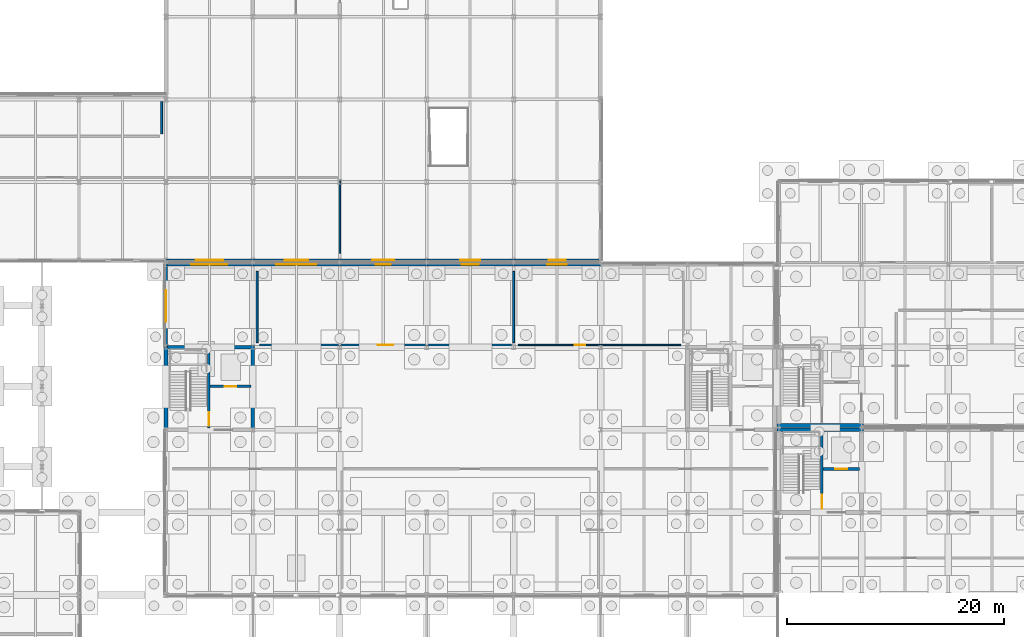
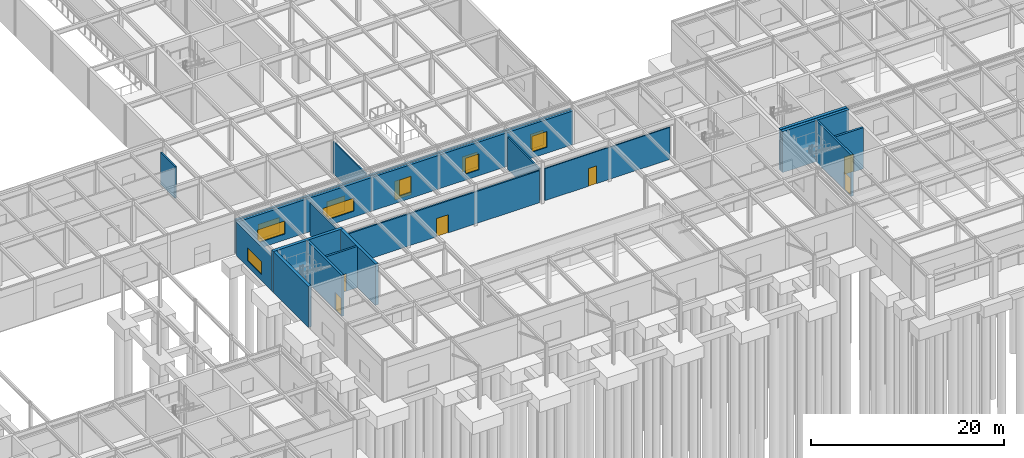
# One storey, part 44 of 62: 26 walls, 10 windows, 7 doors, 17 openings.
"""IFC4 building model written with IfcOpenShell, lengths in metres."""

from ifc_helpers import new_model, si_unit, direction, frame, frame_2d, origin, place, context, subcontext, project, spatial, rectangle, extrude, material, layer, layer_set, type_object, element, fill, save


model = new_model("IFC4")

# Units and contexts
model_context = context("Model", 3, precision=1e-05, world=origin(), true_north=direction((0.0, 1.0)))
body_context = subcontext(model_context, "Body", "Model", "MODEL_VIEW")
ifc_project = project(units=[si_unit("LENGTHUNIT", "METRE"), si_unit("AREAUNIT", "SQUARE_METRE"), si_unit("VOLUMEUNIT", "CUBIC_METRE"), si_unit("PLANEANGLEUNIT", "RADIAN"), si_unit("MASSUNIT", "GRAM", prefix="KILO")], contexts=[model_context])

# Site, building, storey
site_placement = place(None, origin())
site = spatial("IfcSite", under=ifc_project, at=site_placement, CompositionType="ELEMENT")
building_placement = place(site_placement, origin())
building = spatial("IfcBuilding", under=site, at=building_placement, Name="Zulena Civic Courthouse", CompositionType="ELEMENT")
storey_placement = place(building_placement, origin())
storey = spatial("IfcBuildingStorey", under=building, at=storey_placement, Name="L00", CompositionType="ELEMENT", Elevation=0.0)

# Wall, opening, door
ifc_material_1 = material(Name="Concrete C40/50", Category="concrete")
ifc_layer_1 = layer(ifc_material_1, 0.25)
ifc_layer_set_1 = layer_set([ifc_layer_1], Name="Concrete C40/50")
wall_type_1 = type_object("IfcWallType", Name="CoreShearWall_RC250", PredefinedType="SHEAR", material=ifc_layer_set_1)
wall_1_placement = place(storey_placement, frame((128.35009765625, 22.97509765625, 0.0), z_axis=(0.0, 0.0, 1.0), x_axis=(0.0, 1.0, 0.0)))
wall_1 = element("IfcWall", 1, at=wall_1_placement, inside=storey, type_object=wall_type_1, Name="cwall:K1A:L00:DIV", PredefinedType="SHEAR", context=body_context, shape_type="SweptSolid", body=[
    extrude(rectangle(XDim=7.25, YDim=0.25, at=frame_2d((3.625, 0.0))), origin(), (0.0, 0.0, 1.0), 5.18994140625),
])
opening_1_placement = place(wall_1_placement, frame((0.179931640625, 0.0, 0.0)))
opening_1 = element("IfcOpeningElement", 2, at=opening_1_placement, cuts=wall_1, Name="Opening ID06", PredefinedType="OPENING", context=body_context, shape_type="SweptSolid", body=[
    extrude(rectangle(XDim=1.25, YDim=2.199951171875, at=frame_2d((0.625, 1.10009765625))), frame((0.0, 0.135009765625, 0.0), z_axis=(0.0, -1.0, 0.0), x_axis=(1.0, 0.0, 0.0)), (0.0, 0.0, 1.0), 0.27001953125),
])
ifc_material_2 = material(Name="Fire-rated galvanised steel ASTM A653 Grade 50", Category="steel")
door_type_1 = type_object("IfcDoorType", Name="IntDoor_Stair_1250x2200", OperationType="NOTDEFINED", PredefinedType="DOOR", material=ifc_material_2)
door_1_placement = place(opening_1_placement, origin())
door_1 = element("IfcDoor", 3, at=door_1_placement, inside=storey, type_object=door_type_1, Name="door:stair:K1A:L00", OperationType="SINGLE_SWING_LEFT", OverallHeight=2.199951171875, OverallWidth=1.25, PredefinedType="DOOR", context=body_context, shape_type="SweptSolid", body=[
    extrude(rectangle(XDim=1.25, YDim=2.199951171875, at=frame_2d((0.625, 1.10009765625))), frame((0.0, 0.02490234375, 0.0), z_axis=(0.0, -1.0, 0.0), x_axis=(1.0, 0.0, 0.0)), (0.0, 0.0, 1.0), 0.050048828125),
])
fill(opening_1, door_1)

wall_2_placement = place(storey_placement, frame((128.47509765625, 26.800048828125, 0.0), z_axis=(0.0, 0.0, 1.0), x_axis=(1.0, 0.0, 0.0)))
wall_2 = element("IfcWall", 4, at=wall_2_placement, inside=storey, type_object=wall_type_1, Name="cwall:K1A:L00:SHF", PredefinedType="SHEAR", context=body_context, shape_type="SweptSolid", body=[
    extrude(rectangle(XDim=3.349853515625, YDim=0.25, at=frame_2d((1.6748046875, 0.0))), origin(), (0.0, 0.0, 1.0), 5.18994140625),
])
opening_2_placement = place(wall_2_placement, frame((1.1201171875, 0.0, 0.0)))
opening_2 = element("IfcOpeningElement", 5, at=opening_2_placement, cuts=wall_2, Name="Opening LD02", PredefinedType="OPENING", context=body_context, shape_type="SweptSolid", body=[
    extrude(rectangle(XDim=1.10009765625, YDim=2.199951171875, at=frame_2d((0.550048828125, 1.10009765625))), frame((0.0, 0.135009765625, 0.0), z_axis=(0.0, -1.0, 0.0), x_axis=(1.0, 0.0, 0.0)), (0.0, 0.0, 1.0), 0.27001953125),
])
door_type_2 = type_object("IfcDoorType", Name="LiftLandingDoor_Pass_1100x2200", OperationType="SLIDING_TO_LEFT", PredefinedType="DOOR", material=ifc_material_2)
door_2_placement = place(opening_2_placement, origin())
door_2 = element("IfcDoor", 6, at=door_2_placement, inside=storey, type_object=door_type_2, Name="door:ld:PL-01:L00", OperationType="SLIDING_TO_LEFT", OverallHeight=2.199951171875, OverallWidth=1.10009765625, PredefinedType="DOOR", context=body_context, shape_type="SweptSolid", body=[
    extrude(rectangle(XDim=1.10009765625, YDim=2.199951171875, at=frame_2d((0.550048828125, 1.10009765625))), frame((0.0, 0.02490234375, 0.0), z_axis=(0.0, -1.0, 0.0), x_axis=(1.0, 0.0, 0.0)), (0.0, 0.0, 1.0), 0.050048828125),
])
fill(opening_2, door_2)

wall_3_placement = place(storey_placement, frame((71.949951171875, 30.574951171875, 0.0), z_axis=(0.0, 0.0, 1.0), x_axis=(0.0, 1.0, 0.0)))
wall_3 = element("IfcWall", 7, at=wall_3_placement, inside=storey, type_object=wall_type_1, Name="cwall:K4A:L00:DIV", PredefinedType="SHEAR", context=body_context, shape_type="SweptSolid", body=[
    extrude(rectangle(XDim=7.25, YDim=0.25, at=frame_2d((3.625, 0.0))), origin(), (0.0, 0.0, 1.0), 5.18994140625),
])
opening_3_placement = place(wall_3_placement, frame((0.179931640625, 0.0, 0.0)))
opening_3 = element("IfcOpeningElement", 8, at=opening_3_placement, cuts=wall_3, Name="Opening ID06", PredefinedType="OPENING", context=body_context, shape_type="SweptSolid", body=[
    extrude(rectangle(XDim=1.25, YDim=2.199951171875, at=frame_2d((0.625, 1.10009765625))), frame((0.0, 0.135009765625, 0.0), z_axis=(0.0, -1.0, 0.0), x_axis=(1.0, 0.0, 0.0)), (0.0, 0.0, 1.0), 0.27001953125),
])
door_3_placement = place(opening_3_placement, origin())
door_3 = element("IfcDoor", 9, at=door_3_placement, inside=storey, type_object=door_type_1, Name="door:stair:K4A:L00", OperationType="SINGLE_SWING_LEFT", OverallHeight=2.199951171875, OverallWidth=1.25, PredefinedType="DOOR", context=body_context, shape_type="SweptSolid", body=[
    extrude(rectangle(XDim=1.25, YDim=2.199951171875, at=frame_2d((0.625, 1.10009765625))), frame((0.0, 0.02490234375, 0.0), z_axis=(0.0, -1.0, 0.0), x_axis=(1.0, 0.0, 0.0)), (0.0, 0.0, 1.0), 0.050048828125),
])
fill(opening_3, door_3)

wall_4_placement = place(storey_placement, frame((72.074951171875, 34.39990234375, 0.0), z_axis=(0.0, 0.0, 1.0), x_axis=(1.0, 0.0, 0.0)))
wall_4 = element("IfcWall", 10, at=wall_4_placement, inside=storey, type_object=wall_type_1, Name="cwall:K4A:L00:SHF", PredefinedType="SHEAR", context=body_context, shape_type="SweptSolid", body=[
    extrude(rectangle(XDim=3.75, YDim=0.25, at=frame_2d((1.875, 0.0))), origin(), (0.0, 0.0, 1.0), 5.18994140625),
])
opening_4_placement = place(wall_4_placement, frame((1.320068359375, 0.0, 0.0)))
opening_4 = element("IfcOpeningElement", 11, at=opening_4_placement, cuts=wall_4, Name="Opening LD02", PredefinedType="OPENING", context=body_context, shape_type="SweptSolid", body=[
    extrude(rectangle(XDim=1.10009765625, YDim=2.199951171875, at=frame_2d((0.550048828125, 1.10009765625))), frame((0.0, 0.135009765625, 0.0), z_axis=(0.0, -1.0, 0.0), x_axis=(1.0, 0.0, 0.0)), (0.0, 0.0, 1.0), 0.27001953125),
])
door_4_placement = place(opening_4_placement, origin())
door_4 = element("IfcDoor", 12, at=door_4_placement, inside=storey, type_object=door_type_2, Name="door:ld:PL-03:L00", OperationType="SLIDING_TO_LEFT", OverallHeight=2.199951171875, OverallWidth=1.10009765625, PredefinedType="DOOR", context=body_context, shape_type="SweptSolid", body=[
    extrude(rectangle(XDim=1.10009765625, YDim=2.199951171875, at=frame_2d((0.550048828125, 1.10009765625))), frame((0.0, 0.02490234375, 0.0), z_axis=(0.0, -1.0, 0.0), x_axis=(1.0, 0.0, 0.0)), (0.0, 0.0, 1.0), 0.050048828125),
])
fill(opening_4, door_4)

# Walls
ifc_layer_2 = layer(ifc_material_1, 0.35009765625)
ifc_layer_set_2 = layer_set([ifc_layer_2], Name="Concrete C40/50")
wall_type_2 = type_object("IfcWallType", Name="CoreShearWall_RC350", PredefinedType="SHEAR", material=ifc_layer_set_2)
for number, where, z_axis, x_axis, name in (
    (13, (124.22509765625, 30.39990234375, 0.0), (0.0, 0.0, 1.0), (1.0, 0.0, 0.0), "cwall:K1A:L00:N"),
    (14, (124.22509765625, 30.800048828125, 0.0), (0.0, 0.0, 1.0), (1.0, 0.0, 0.0), "cwall:K3A:L00:S"),
):
    element("IfcWall", number, at=place(storey_placement, frame(where, z_axis=z_axis, x_axis=x_axis)), inside=storey, type_object=wall_type_2, Name=name, PredefinedType="SHEAR", context=body_context, shape_type="SweptSolid", body=[
        extrude(rectangle(XDim=7.949951171875, YDim=0.35009765625, at=frame_2d((3.97509765625, 0.0))), origin(), (0.0, 0.0, 1.0), 5.18994140625),
    ])
wall_5_placement = place(storey_placement, frame((67.824951171875, 38.0, 0.0), z_axis=(0.0, 0.0, 1.0), x_axis=(1.0, 0.0, 0.0)))
element("IfcWall", 15, at=wall_5_placement, inside=storey, type_object=wall_type_2, Name="cwall:K4A:L00:N", PredefinedType="SHEAR", context=body_context, shape_type="SweptSolid", body=[
    extrude(rectangle(XDim=8.35009765625, YDim=0.35009765625, at=frame_2d((4.175048828125, 0.0))), origin(), (0.0, 0.0, 1.0), 5.18994140625),
])
for number, where, z_axis, x_axis, name in (
    (16, (68.0, 30.574951171875, 0.0), (0.0, 0.0, 1.0), (0.0, 1.0, 0.0), "cwall:K4A:L00:W"),
    (17, (76.0, 30.574951171875, 0.0), (0.0, 0.0, 1.0), (0.0, 1.0, 0.0), "cwall:K4A:L00:E"),
):
    element("IfcWall", number, at=place(storey_placement, frame(where, z_axis=z_axis, x_axis=x_axis)), inside=storey, type_object=wall_type_2, Name=name, PredefinedType="SHEAR", context=body_context, shape_type="SweptSolid", body=[
        extrude(rectangle(XDim=7.25, YDim=0.35009765625, at=frame_2d((3.625, 0.0))), origin(), (0.0, 0.0, 1.0), 5.18994140625),
    ])

# Wall, opening, window
ifc_material_3 = material(Name="Buff architectural precast concrete C40/50", Category="concrete")
ifc_layer_3 = layer(ifc_material_3, 0.264892578125)
ifc_layer_set_3 = layer_set([ifc_layer_3], Name="Buff architectural precast concrete C40/50")
wall_type_3 = type_object("IfcWallType", Name="ExtWall_BuffPrecast_265", PredefinedType="STANDARD", material=ifc_layer_set_3)
wall_6_placement = place(storey_placement, frame((108.02001953125, 46.0, 0.0), z_axis=(0.0, 0.0, 1.0), x_axis=(-1.0, 0.0, 0.0)))
wall_6 = element("IfcWall", 18, at=wall_6_placement, inside=storey, type_object=wall_type_3, Name="ewall:V5:L00:5:0", PredefinedType="STANDARD", context=body_context, shape_type="SweptSolid", body=[
    extrude(rectangle(XDim=8.0400390625, YDim=0.264892578125, at=frame_2d((4.02001953125, 0.0))), origin(), (0.0, 0.0, 1.0), 4.25),
])
opening_5_placement = place(wall_6_placement, frame((3.2451171875, 0.0, 0.75)))
opening_5 = element("IfcOpeningElement", 19, at=opening_5_placement, cuts=wall_6, Name="Opening WN36", PredefinedType="OPENING", context=body_context, shape_type="SweptSolid", body=[
    extrude(rectangle(XDim=1.550048828125, YDim=1.89990234375, at=frame_2d((0.77490234375, 0.949951171875))), frame((0.0, 0.142333984375, 0.0), z_axis=(0.0, -1.0, 0.0), x_axis=(1.0, 0.0, 0.0)), (0.0, 0.0, 1.0), 0.284912109375),
])
ifc_material_4 = material(Name="Double-silver low-E laminated solar-control glass", Category="glass")
window_type_1 = type_object("IfcWindowType", Name="Win_1550x1900", PartitioningType="SINGLE_PANEL", PredefinedType="WINDOW", material=ifc_material_4)
window_1_placement = place(opening_5_placement, origin())
window_1 = element("IfcWindow", 20, at=window_1_placement, inside=storey, type_object=window_type_1, Name="win:V5:L00:5:0", OverallHeight=1.89990234375, OverallWidth=1.550048828125, PartitioningType="SINGLE_PANEL", PredefinedType="WINDOW", context=body_context, shape_type="SweptSolid", body=[
    extrude(rectangle(XDim=1.550048828125, YDim=1.89990234375, at=frame_2d((0.77490234375, 0.949951171875))), frame((0.0, 0.030029296875, 0.0), z_axis=(0.0, -1.0, 0.0), x_axis=(1.0, 0.0, 0.0)), (0.0, 0.0, 1.0), 0.06005859375),
])
fill(opening_5, window_1)

wall_7_placement = place(storey_placement, frame((100.02001953125, 46.0, 0.0), z_axis=(0.0, 0.0, 1.0), x_axis=(-1.0, 0.0, 0.0)))
wall_7 = element("IfcWall", 21, at=wall_7_placement, inside=storey, type_object=wall_type_3, Name="ewall:V5:L00:5:1", PredefinedType="STANDARD", context=body_context, shape_type="SweptSolid", body=[
    extrude(rectangle(XDim=8.0400390625, YDim=0.264892578125, at=frame_2d((4.02001953125, 0.0))), origin(), (0.0, 0.0, 1.0), 4.25),
])
opening_6_placement = place(wall_7_placement, frame((3.094970703125, 0.0, 0.75)))
opening_6 = element("IfcOpeningElement", 22, at=opening_6_placement, cuts=wall_7, Name="Opening WN37", PredefinedType="OPENING", context=body_context, shape_type="SweptSolid", body=[
    extrude(rectangle(XDim=1.85009765625, YDim=1.89990234375, at=frame_2d((0.925048828125, 0.949951171875))), frame((0.0, 0.142333984375, 0.0), z_axis=(0.0, -1.0, 0.0), x_axis=(1.0, 0.0, 0.0)), (0.0, 0.0, 1.0), 0.284912109375),
])
window_type_2 = type_object("IfcWindowType", Name="Win_1850x1900", PartitioningType="DOUBLE_PANEL_VERTICAL", PredefinedType="WINDOW", material=ifc_material_4)
window_2_placement = place(opening_6_placement, origin())
window_2 = element("IfcWindow", 23, at=window_2_placement, inside=storey, type_object=window_type_2, Name="win:V5:L00:5:1", OverallHeight=1.89990234375, OverallWidth=1.85009765625, PartitioningType="SINGLE_PANEL", PredefinedType="WINDOW", context=body_context, shape_type="SweptSolid", body=[
    extrude(rectangle(XDim=1.85009765625, YDim=1.89990234375, at=frame_2d((0.925048828125, 0.949951171875))), frame((0.0, 0.030029296875, 0.0), z_axis=(0.0, -1.0, 0.0), x_axis=(1.0, 0.0, 0.0)), (0.0, 0.0, 1.0), 0.06005859375),
])
fill(opening_6, window_2)

# Wall, opening, door
wall_8_placement = place(storey_placement, frame((92.02001953125, 46.0, 0.0), z_axis=(0.0, 0.0, 1.0), x_axis=(-1.0, 0.0, 0.0)))
wall_8 = element("IfcWall", 24, at=wall_8_placement, inside=storey, type_object=wall_type_3, Name="ewall:V5:L00:5:2", PredefinedType="STANDARD", context=body_context, shape_type="SweptSolid", body=[
    extrude(rectangle(XDim=8.0400390625, YDim=0.264892578125, at=frame_2d((4.02001953125, 0.0))), origin(), (0.0, 0.0, 1.0), 4.25),
])
opening_7_placement = place(wall_8_placement, frame((3.02001953125, 0.0, 0.0)))
opening_7 = element("IfcOpeningElement", 25, at=opening_7_placement, cuts=wall_8, Name="Opening ED03", PredefinedType="OPENING", context=body_context, shape_type="SweptSolid", body=[
    extrude(rectangle(XDim=2.0, YDim=2.39990234375, at=frame_2d((1.0, 1.199951171875))), frame((0.0, 0.142333984375, 0.0), z_axis=(0.0, -1.0, 0.0), x_axis=(1.0, 0.0, 0.0)), (0.0, 0.0, 1.0), 0.284912109375),
])
ifc_material_5 = material(Name="Galvanised architectural steel ASTM A653 Grade 50", Category="steel")
door_type_3 = type_object("IfcDoorType", Name="ExtDoor_ExitDouble_2000x2400", OperationType="DOUBLE_DOOR_SINGLE_SWING", PredefinedType="DOOR", material=ifc_material_5)
door_5_placement = place(opening_7_placement, origin())
door_5 = element("IfcDoor", 26, at=door_5_placement, inside=storey, type_object=door_type_3, Name="door:ext:V5:L00:5:2", OperationType="DOUBLE_DOOR_SINGLE_SWING", OverallHeight=2.39990234375, OverallWidth=2.0, PredefinedType="DOOR", context=body_context, shape_type="SweptSolid", body=[
    extrude(rectangle(XDim=2.0, YDim=2.39990234375, at=frame_2d((1.0, 1.199951171875))), frame((0.0, 0.02490234375, 0.0), z_axis=(0.0, -1.0, 0.0), x_axis=(1.0, 0.0, 0.0)), (0.0, 0.0, 1.0), 0.050048828125),
])
fill(opening_7, door_5)

# Wall, opening, window
wall_9_placement = place(storey_placement, frame((84.02001953125, 46.0, 0.0), z_axis=(0.0, 0.0, 1.0), x_axis=(-1.0, 0.0, 0.0)))
wall_9 = element("IfcWall", 27, at=wall_9_placement, inside=storey, type_object=wall_type_3, Name="ewall:V5:L00:5:3", PredefinedType="STANDARD", context=body_context, shape_type="SweptSolid", body=[
    extrude(rectangle(XDim=8.0400390625, YDim=0.264892578125, at=frame_2d((4.02001953125, 0.0))), origin(), (0.0, 0.0, 1.0), 4.25),
])
opening_8_placement = place(wall_9_placement, frame((2.945068359375, 0.0, 0.75)))
opening_8 = element("IfcOpeningElement", 28, at=opening_8_placement, cuts=wall_9, Name="Opening WN38", PredefinedType="OPENING", context=body_context, shape_type="SweptSolid", body=[
    extrude(rectangle(XDim=2.14990234375, YDim=1.89990234375, at=frame_2d((1.074951171875, 0.949951171875))), frame((0.0, 0.142333984375, 0.0), z_axis=(0.0, -1.0, 0.0), x_axis=(1.0, 0.0, 0.0)), (0.0, 0.0, 1.0), 0.284912109375),
])
window_type_3 = type_object("IfcWindowType", Name="Win_2150x1900", PartitioningType="DOUBLE_PANEL_VERTICAL", PredefinedType="WINDOW", material=ifc_material_4)
window_3_placement = place(opening_8_placement, origin())
window_3 = element("IfcWindow", 29, at=window_3_placement, inside=storey, type_object=window_type_3, Name="win:V5:L00:5:3", OverallHeight=1.89990234375, OverallWidth=2.14990234375, PartitioningType="SINGLE_PANEL", PredefinedType="WINDOW", context=body_context, shape_type="SweptSolid", body=[
    extrude(rectangle(XDim=2.14990234375, YDim=1.89990234375, at=frame_2d((1.074951171875, 0.949951171875))), frame((0.0, 0.030029296875, 0.0), z_axis=(0.0, -1.0, 0.0), x_axis=(1.0, 0.0, 0.0)), (0.0, 0.0, 1.0), 0.06005859375),
])
fill(opening_8, window_3)

wall_10_placement = place(storey_placement, frame((76.02001953125, 46.0, 0.0), z_axis=(0.0, 0.0, 1.0), x_axis=(-1.0, 0.0, 0.0)))
wall_10 = element("IfcWall", 30, at=wall_10_placement, inside=storey, type_object=wall_type_3, Name="ewall:V5:L00:5:4", PredefinedType="STANDARD", context=body_context, shape_type="SweptSolid", body=[
    extrude(rectangle(XDim=8.0400390625, YDim=0.264892578125, at=frame_2d((4.02001953125, 0.0))), origin(), (0.0, 0.0, 1.0), 4.25),
])
opening_9_placement = place(wall_10_placement, frame((2.7451171875, 0.0, 0.75)))
opening_9 = element("IfcOpeningElement", 31, at=opening_9_placement, cuts=wall_10, Name="Opening WN39", PredefinedType="OPENING", context=body_context, shape_type="SweptSolid", body=[
    extrude(rectangle(XDim=2.550048828125, YDim=1.89990234375, at=frame_2d((1.27490234375, 0.949951171875))), frame((0.0, 0.142333984375, 0.0), z_axis=(0.0, -1.0, 0.0), x_axis=(1.0, 0.0, 0.0)), (0.0, 0.0, 1.0), 0.284912109375),
])
window_type_4 = type_object("IfcWindowType", Name="Win_2550x1900", PartitioningType="DOUBLE_PANEL_VERTICAL", PredefinedType="WINDOW", material=ifc_material_4)
window_4_placement = place(opening_9_placement, origin())
window_4 = element("IfcWindow", 32, at=window_4_placement, inside=storey, type_object=window_type_4, Name="win:V5:L00:5:4", OverallHeight=1.89990234375, OverallWidth=2.550048828125, PartitioningType="SINGLE_PANEL", PredefinedType="WINDOW", context=body_context, shape_type="SweptSolid", body=[
    extrude(rectangle(XDim=2.550048828125, YDim=1.89990234375, at=frame_2d((1.27490234375, 0.949951171875))), frame((0.0, 0.030029296875, 0.0), z_axis=(0.0, -1.0, 0.0), x_axis=(1.0, 0.0, 0.0)), (0.0, 0.0, 1.0), 0.06005859375),
])
fill(opening_9, window_4)

ifc_material_6 = material(Name="Travertine-cream architectural precast concrete C40/50", Category="masonry")
ifc_layer_4 = layer(ifc_material_6, 0.280029296875)
ifc_layer_set_4 = layer_set([ifc_layer_4], Name="Travertine-cream architectural precast concrete C40/50")
wall_type_4 = type_object("IfcWallType", Name="ExtWall_TravPrecast_280", PredefinedType="STANDARD", material=ifc_layer_set_4)
wall_11_placement = place(storey_placement, frame((68.0, 37.97998046875, 0.0), z_axis=(0.0, 0.0, 1.0), x_axis=(0.0, 1.0, 0.0)))
wall_11 = element("IfcWall", 33, at=wall_11_placement, inside=storey, type_object=wall_type_4, Name="ewall:V4:L00:0:3", PredefinedType="STANDARD", context=body_context, shape_type="SweptSolid", body=[
    extrude(rectangle(XDim=7.64013671875, YDim=0.280029296875, at=frame_2d((3.820068359375, 0.0))), origin(), (0.0, 0.0, 1.0), 4.25),
])
opening_10_placement = place(wall_11_placement, frame((2.3701171875, 0.0, 0.75)))
opening_10 = element("IfcOpeningElement", 34, at=opening_10_placement, cuts=wall_11, Name="Opening WN46", PredefinedType="OPENING", context=body_context, shape_type="SweptSolid", body=[
    extrude(rectangle(XDim=2.89990234375, YDim=1.64990234375, at=frame_2d((1.449951171875, 0.824951171875))), frame((0.0, 0.14990234375, 0.0), z_axis=(0.0, -1.0, 0.0), x_axis=(1.0, 0.0, 0.0)), (0.0, 0.0, 1.0), 0.300048828125),
])
window_type_5 = type_object("IfcWindowType", Name="Win_2900x1650", PartitioningType="DOUBLE_PANEL_VERTICAL", PredefinedType="WINDOW", material=ifc_material_4)
window_5_placement = place(opening_10_placement, origin())
window_5 = element("IfcWindow", 35, at=window_5_placement, inside=storey, type_object=window_type_5, Name="win:V4:L00:0:3", OverallHeight=1.64990234375, OverallWidth=2.89990234375, PartitioningType="SINGLE_PANEL", PredefinedType="WINDOW", context=body_context, shape_type="SweptSolid", body=[
    extrude(rectangle(XDim=2.89990234375, YDim=1.64990234375, at=frame_2d((1.449951171875, 0.824951171875))), frame((0.0, 0.030029296875, 0.0), z_axis=(0.0, -1.0, 0.0), x_axis=(1.0, 0.0, 0.0)), (0.0, 0.0, 1.0), 0.06005859375),
])
fill(opening_10, window_5)

wall_12_placement = place(storey_placement, frame((67.97998046875, 45.60009765625, 0.0), z_axis=(0.0, 0.0, 1.0), x_axis=(1.0, 0.0, 0.0)))
wall_12 = element("IfcWall", 36, at=wall_12_placement, inside=storey, type_object=wall_type_4, Name="ewall:V4:L00:1:0", PredefinedType="STANDARD", context=body_context, shape_type="SweptSolid", body=[
    extrude(rectangle(XDim=8.0400390625, YDim=0.280029296875, at=frame_2d((4.02001953125, 0.0))), origin(), (0.0, 0.0, 1.0), 4.25),
])
opening_11_placement = place(wall_12_placement, frame((2.3701171875, 0.0, 0.75)))
opening_11 = element("IfcOpeningElement", 37, at=opening_11_placement, cuts=wall_12, Name="Opening WN47", PredefinedType="OPENING", context=body_context, shape_type="SweptSolid", body=[
    extrude(rectangle(XDim=3.300048828125, YDim=1.64990234375, at=frame_2d((1.64990234375, 0.824951171875))), frame((0.0, 0.14990234375, 0.0), z_axis=(0.0, -1.0, 0.0), x_axis=(1.0, 0.0, 0.0)), (0.0, 0.0, 1.0), 0.300048828125),
])
window_type_6 = type_object("IfcWindowType", Name="Win_3300x1650", PartitioningType="DOUBLE_PANEL_VERTICAL", PredefinedType="WINDOW", material=ifc_material_4)
window_6_placement = place(opening_11_placement, origin())
window_6 = element("IfcWindow", 38, at=window_6_placement, inside=storey, type_object=window_type_6, Name="win:V4:L00:1:0", OverallHeight=1.64990234375, OverallWidth=3.300048828125, PartitioningType="SINGLE_PANEL", PredefinedType="WINDOW", context=body_context, shape_type="SweptSolid", body=[
    extrude(rectangle(XDim=3.300048828125, YDim=1.64990234375, at=frame_2d((1.64990234375, 0.824951171875))), frame((0.0, 0.030029296875, 0.0), z_axis=(0.0, -1.0, 0.0), x_axis=(1.0, 0.0, 0.0)), (0.0, 0.0, 1.0), 0.06005859375),
])
fill(opening_11, window_6)

wall_13_placement = place(storey_placement, frame((75.97998046875, 45.60009765625, 0.0), z_axis=(0.0, 0.0, 1.0), x_axis=(1.0, 0.0, 0.0)))
wall_13 = element("IfcWall", 39, at=wall_13_placement, inside=storey, type_object=wall_type_4, Name="ewall:V4:L00:1:1", PredefinedType="STANDARD", context=body_context, shape_type="SweptSolid", body=[
    extrude(rectangle(XDim=8.0400390625, YDim=0.280029296875, at=frame_2d((4.02001953125, 0.0))), origin(), (0.0, 0.0, 1.0), 4.25),
])
opening_12_placement = place(wall_13_placement, frame((2.169921875, 0.0, 0.75)))
opening_12 = element("IfcOpeningElement", 40, at=opening_12_placement, cuts=wall_13, Name="Opening WN48", PredefinedType="OPENING", context=body_context, shape_type="SweptSolid", body=[
    extrude(rectangle(XDim=3.699951171875, YDim=1.64990234375, at=frame_2d((1.85009765625, 0.824951171875))), frame((0.0, 0.14990234375, 0.0), z_axis=(0.0, -1.0, 0.0), x_axis=(1.0, 0.0, 0.0)), (0.0, 0.0, 1.0), 0.300048828125),
])
window_type_7 = type_object("IfcWindowType", Name="Win_3700x1650", PartitioningType="DOUBLE_PANEL_VERTICAL", PredefinedType="WINDOW", material=ifc_material_4)
window_7_placement = place(opening_12_placement, origin())
window_7 = element("IfcWindow", 41, at=window_7_placement, inside=storey, type_object=window_type_7, Name="win:V4:L00:1:1", OverallHeight=1.64990234375, OverallWidth=3.699951171875, PartitioningType="SINGLE_PANEL", PredefinedType="WINDOW", context=body_context, shape_type="SweptSolid", body=[
    extrude(rectangle(XDim=3.699951171875, YDim=1.64990234375, at=frame_2d((1.85009765625, 0.824951171875))), frame((0.0, 0.030029296875, 0.0), z_axis=(0.0, -1.0, 0.0), x_axis=(1.0, 0.0, 0.0)), (0.0, 0.0, 1.0), 0.06005859375),
])
fill(opening_12, window_7)

wall_14_placement = place(storey_placement, frame((83.97998046875, 45.60009765625, 0.0), z_axis=(0.0, 0.0, 1.0), x_axis=(1.0, 0.0, 0.0)))
wall_14 = element("IfcWall", 42, at=wall_14_placement, inside=storey, type_object=wall_type_4, Name="ewall:V4:L00:1:2", PredefinedType="STANDARD", context=body_context, shape_type="SweptSolid", body=[
    extrude(rectangle(XDim=8.0400390625, YDim=0.280029296875, at=frame_2d((4.02001953125, 0.0))), origin(), (0.0, 0.0, 1.0), 4.25),
])
opening_13_placement = place(wall_14_placement, frame((3.320068359375, 0.0, 0.75)))
opening_13 = element("IfcOpeningElement", 43, at=opening_13_placement, cuts=wall_14, Name="Opening WN01", PredefinedType="OPENING", context=body_context, shape_type="SweptSolid", body=[
    extrude(rectangle(XDim=1.39990234375, YDim=2.0, at=frame_2d((0.699951171875, 1.0))), frame((0.0, 0.14990234375, 0.0), z_axis=(0.0, -1.0, 0.0), x_axis=(1.0, 0.0, 0.0)), (0.0, 0.0, 1.0), 0.300048828125),
])
window_type_8 = type_object("IfcWindowType", Name="Win_1400x2000", PartitioningType="SINGLE_PANEL", PredefinedType="WINDOW", material=ifc_material_4)
window_8_placement = place(opening_13_placement, origin())
window_8 = element("IfcWindow", 44, at=window_8_placement, inside=storey, type_object=window_type_8, Name="win:V4:L00:1:2", OverallHeight=2.0, OverallWidth=1.39990234375, PartitioningType="SINGLE_PANEL", PredefinedType="WINDOW", context=body_context, shape_type="SweptSolid", body=[
    extrude(rectangle(XDim=1.39990234375, YDim=2.0, at=frame_2d((0.699951171875, 1.0))), frame((0.0, 0.030029296875, 0.0), z_axis=(0.0, -1.0, 0.0), x_axis=(1.0, 0.0, 0.0)), (0.0, 0.0, 1.0), 0.06005859375),
])
fill(opening_13, window_8)

wall_15_placement = place(storey_placement, frame((91.97998046875, 45.60009765625, 0.0), z_axis=(0.0, 0.0, 1.0), x_axis=(1.0, 0.0, 0.0)))
wall_15 = element("IfcWall", 45, at=wall_15_placement, inside=storey, type_object=wall_type_4, Name="ewall:V4:L00:1:3", PredefinedType="STANDARD", context=body_context, shape_type="SweptSolid", body=[
    extrude(rectangle(XDim=8.0400390625, YDim=0.280029296875, at=frame_2d((4.02001953125, 0.0))), origin(), (0.0, 0.0, 1.0), 4.25),
])
opening_14_placement = place(wall_15_placement, frame((3.219970703125, 0.0, 0.75)))
opening_14 = element("IfcOpeningElement", 46, at=opening_14_placement, cuts=wall_15, Name="Opening WN02", PredefinedType="OPENING", context=body_context, shape_type="SweptSolid", body=[
    extrude(rectangle(XDim=1.60009765625, YDim=2.0, at=frame_2d((0.800048828125, 1.0))), frame((0.0, 0.14990234375, 0.0), z_axis=(0.0, -1.0, 0.0), x_axis=(1.0, 0.0, 0.0)), (0.0, 0.0, 1.0), 0.300048828125),
])
window_type_9 = type_object("IfcWindowType", Name="Win_1600x2000", PartitioningType="SINGLE_PANEL", PredefinedType="WINDOW", material=ifc_material_4)
window_9_placement = place(opening_14_placement, origin())
window_9 = element("IfcWindow", 47, at=window_9_placement, inside=storey, type_object=window_type_9, Name="win:V4:L00:1:3", OverallHeight=2.0, OverallWidth=1.60009765625, PartitioningType="SINGLE_PANEL", PredefinedType="WINDOW", context=body_context, shape_type="SweptSolid", body=[
    extrude(rectangle(XDim=1.60009765625, YDim=2.0, at=frame_2d((0.800048828125, 1.0))), frame((0.0, 0.030029296875, 0.0), z_axis=(0.0, -1.0, 0.0), x_axis=(1.0, 0.0, 0.0)), (0.0, 0.0, 1.0), 0.06005859375),
])
fill(opening_14, window_9)

wall_16_placement = place(storey_placement, frame((99.97998046875, 45.60009765625, 0.0), z_axis=(0.0, 0.0, 1.0), x_axis=(1.0, 0.0, 0.0)))
wall_16 = element("IfcWall", 48, at=wall_16_placement, inside=storey, type_object=wall_type_4, Name="ewall:V4:L00:1:4", PredefinedType="STANDARD", context=body_context, shape_type="SweptSolid", body=[
    extrude(rectangle(XDim=8.0400390625, YDim=0.280029296875, at=frame_2d((4.02001953125, 0.0))), origin(), (0.0, 0.0, 1.0), 4.25),
])
opening_15_placement = place(wall_16_placement, frame((3.1201171875, 0.0, 0.75)))
opening_15 = element("IfcOpeningElement", 49, at=opening_15_placement, cuts=wall_16, Name="Opening WN03", PredefinedType="OPENING", context=body_context, shape_type="SweptSolid", body=[
    extrude(rectangle(XDim=1.800048828125, YDim=2.0, at=frame_2d((0.89990234375, 1.0))), frame((0.0, 0.14990234375, 0.0), z_axis=(0.0, -1.0, 0.0), x_axis=(1.0, 0.0, 0.0)), (0.0, 0.0, 1.0), 0.300048828125),
])
window_type_10 = type_object("IfcWindowType", Name="Win_1800x2000", PartitioningType="DOUBLE_PANEL_VERTICAL", PredefinedType="WINDOW", material=ifc_material_4)
window_10_placement = place(opening_15_placement, origin())
window_10 = element("IfcWindow", 50, at=window_10_placement, inside=storey, type_object=window_type_10, Name="win:V4:L00:1:4", OverallHeight=2.0, OverallWidth=1.800048828125, PartitioningType="SINGLE_PANEL", PredefinedType="WINDOW", context=body_context, shape_type="SweptSolid", body=[
    extrude(rectangle(XDim=1.800048828125, YDim=2.0, at=frame_2d((0.89990234375, 1.0))), frame((0.0, 0.030029296875, 0.0), z_axis=(0.0, -1.0, 0.0), x_axis=(1.0, 0.0, 0.0)), (0.0, 0.0, 1.0), 0.06005859375),
])
fill(opening_15, window_10)

# Wall
ifc_material_7 = material(Name="Acoustic fire-rated gypsum board assembly", Category="masonry")
ifc_layer_5 = layer(ifc_material_7, 0.14599609375)
ifc_layer_set_5 = layer_set([ifc_layer_5], Name="Acoustic fire-rated gypsum board assembly")
wall_type_5 = type_object("IfcWallType", Name="PartWall_Chambers_146", PredefinedType="PARTITIONING", material=ifc_layer_set_5)
wall_17_placement = place(storey_placement, frame((84.0, 46.6201171875, 0.0), z_axis=(0.0, 0.0, 1.0), x_axis=(0.0, 1.0, 0.0)))
element("IfcWall", 51, at=wall_17_placement, inside=storey, type_object=wall_type_5, Name="pwall:L00:376:2", PredefinedType="PARTITIONING", context=body_context, shape_type="SweptSolid", body=[
    extrude(rectangle(XDim=6.759765625, YDim=0.14599609375, at=frame_2d((3.3798828125, 0.0))), origin(), (0.0, 0.0, 1.0), 4.050048828125),
])

# Wall, opening, door
ifc_layer_6 = layer(ifc_material_7, 0.177978515625)
ifc_layer_set_6 = layer_set([ifc_layer_6], Name="Acoustic fire-rated gypsum board assembly")
wall_type_6 = type_object("IfcWallType", Name="PartWall_Corridor_178", PredefinedType="PARTITIONING", material=ifc_layer_set_6)
wall_18_placement = place(storey_placement, frame((76.6201171875, 38.199951171875, 0.0), z_axis=(0.0, 0.0, 1.0), x_axis=(1.0, 0.0, 0.0)))
wall_18 = element("IfcWall", 52, at=wall_18_placement, inside=storey, type_object=wall_type_6, Name="pwall:L00:234:0", PredefinedType="PARTITIONING", context=body_context, shape_type="SweptSolid", body=[
    extrude(rectangle(XDim=23.159912109375, YDim=0.177978515625, at=frame_2d((11.580078125, 0.0))), origin(), (0.0, 0.0, 1.0), 4.050048828125),
])
opening_16_placement = place(wall_18_placement, frame((10.8798828125, 0.0, 0.0)))
opening_16 = element("IfcOpeningElement", 53, at=opening_16_placement, cuts=wall_18, Name="Opening ID28", PredefinedType="OPENING", context=body_context, shape_type="SweptSolid", body=[
    extrude(rectangle(XDim=1.39990234375, YDim=2.300048828125, at=frame_2d((0.699951171875, 1.14990234375))), frame((0.0, 0.098876953125, 0.0), z_axis=(0.0, -1.0, 0.0), x_axis=(1.0, 0.0, 0.0)), (0.0, 0.0, 1.0), 0.197998046875),
])
ifc_material_8 = material(Name="Solid-core acoustic hardwood timber", Category="wood")
door_type_4 = type_object("IfcDoorType", Name="IntDoor_Cafe_1400x2300", OperationType="DOUBLE_DOOR_SINGLE_SWING", PredefinedType="DOOR", material=ifc_material_8)
door_6_placement = place(opening_16_placement, origin())
door_6 = element("IfcDoor", 54, at=door_6_placement, inside=storey, type_object=door_type_4, Name="door:rm:L00:234", OperationType="DOUBLE_DOOR_SINGLE_SWING", OverallHeight=2.300048828125, OverallWidth=1.39990234375, PredefinedType="DOOR", context=body_context, shape_type="SweptSolid", body=[
    extrude(rectangle(XDim=1.39990234375, YDim=2.300048828125, at=frame_2d((0.699951171875, 1.14990234375))), frame((0.0, 0.02490234375, 0.0), z_axis=(0.0, -1.0, 0.0), x_axis=(1.0, 0.0, 0.0)), (0.0, 0.0, 1.0), 0.050048828125),
])
fill(opening_16, door_6)

# Walls
for number, where, z_axis, x_axis, name in (
    (55, (100.0, 38.419921875, 0.0), (0.0, 0.0, 1.0), (0.0, 1.0, 0.0), "pwall:L00:234:1"),
    (56, (76.39990234375, 38.419921875, 0.0), (0.0, 0.0, 1.0), (0.0, 1.0, 0.0), "pwall:L00:234:2"),
):
    element("IfcWall", number, at=place(storey_placement, frame(where, z_axis=z_axis, x_axis=x_axis)), inside=storey, type_object=wall_type_6, Name=name, PredefinedType="PARTITIONING", context=body_context, shape_type="SweptSolid", body=[
        extrude(rectangle(XDim=6.56005859375, YDim=0.177978515625, at=frame_2d((3.280029296875, 0.0))), origin(), (0.0, 0.0, 1.0), 4.050048828125),
    ])
wall_19_placement = place(storey_placement, frame((67.60009765625, 57.6201171875, 0.0), z_axis=(0.0, 0.0, 1.0), x_axis=(0.0, 1.0, 0.0)))
element("IfcWall", 57, at=wall_19_placement, inside=storey, type_object=wall_type_6, Name="pwall:L00:377:1", PredefinedType="PARTITIONING", context=body_context, shape_type="SweptSolid", body=[
    extrude(rectangle(XDim=2.9599609375, YDim=0.177978515625, at=frame_2d((1.47998046875, 0.0))), origin(), (0.0, 0.0, 1.0), 4.050048828125),
])

# Wall, opening, door
ifc_material_9 = material(Name="Insulated blockwork masonry ASTM C90", Category="masonry")
ifc_layer_7 = layer(ifc_material_9, 0.1279296875)
ifc_layer_set_7 = layer_set([ifc_layer_7], Name="Insulated blockwork masonry ASTM C90")
wall_type_7 = type_object("IfcWallType", Name="PartWall_WetRoom_128", PredefinedType="PARTITIONING", material=ifc_layer_set_7)
wall_20_placement = place(storey_placement, frame((100.419921875, 38.199951171875, 0.0), z_axis=(0.0, 0.0, 1.0), x_axis=(1.0, 0.0, 0.0)))
wall_20 = element("IfcWall", 58, at=wall_20_placement, inside=storey, type_object=wall_type_7, Name="pwall:L00:235:0", PredefinedType="PARTITIONING", context=body_context, shape_type="SweptSolid", body=[
    extrude(rectangle(XDim=14.9599609375, YDim=0.1279296875, at=frame_2d((7.47998046875, 0.0))), origin(), (0.0, 0.0, 1.0), 4.050048828125),
])
opening_17_placement = place(wall_20_placement, frame((5.18994140625, 0.0, 0.0)))
opening_17 = element("IfcOpeningElement", 59, at=opening_17_placement, cuts=wall_20, Name="Opening ID29", PredefinedType="OPENING", context=body_context, shape_type="SweptSolid", body=[
    extrude(rectangle(XDim=0.97998046875, YDim=2.25, at=frame_2d((0.489990234375, 1.125))), frame((0.0, 0.073974609375, 0.0), z_axis=(0.0, -1.0, 0.0), x_axis=(1.0, 0.0, 0.0)), (0.0, 0.0, 1.0), 0.14794921875),
])
door_type_5 = type_object("IfcDoorType", Name="IntDoor_Clerks_980x2250", OperationType="NOTDEFINED", PredefinedType="DOOR", material=ifc_material_8)
door_7_placement = place(opening_17_placement, origin())
door_7 = element("IfcDoor", 60, at=door_7_placement, inside=storey, type_object=door_type_5, Name="door:rm:L00:235", OperationType="SINGLE_SWING_RIGHT", OverallHeight=2.25, OverallWidth=0.97998046875, PredefinedType="DOOR", context=body_context, shape_type="SweptSolid", body=[
    extrude(rectangle(XDim=0.97998046875, YDim=2.25, at=frame_2d((0.489990234375, 1.125))), frame((0.0, 0.02490234375, 0.0), z_axis=(0.0, -1.0, 0.0), x_axis=(1.0, 0.0, 0.0)), (0.0, 0.0, 1.0), 0.050048828125),
])
fill(opening_17, door_7)

save(model, "model.ifc")
